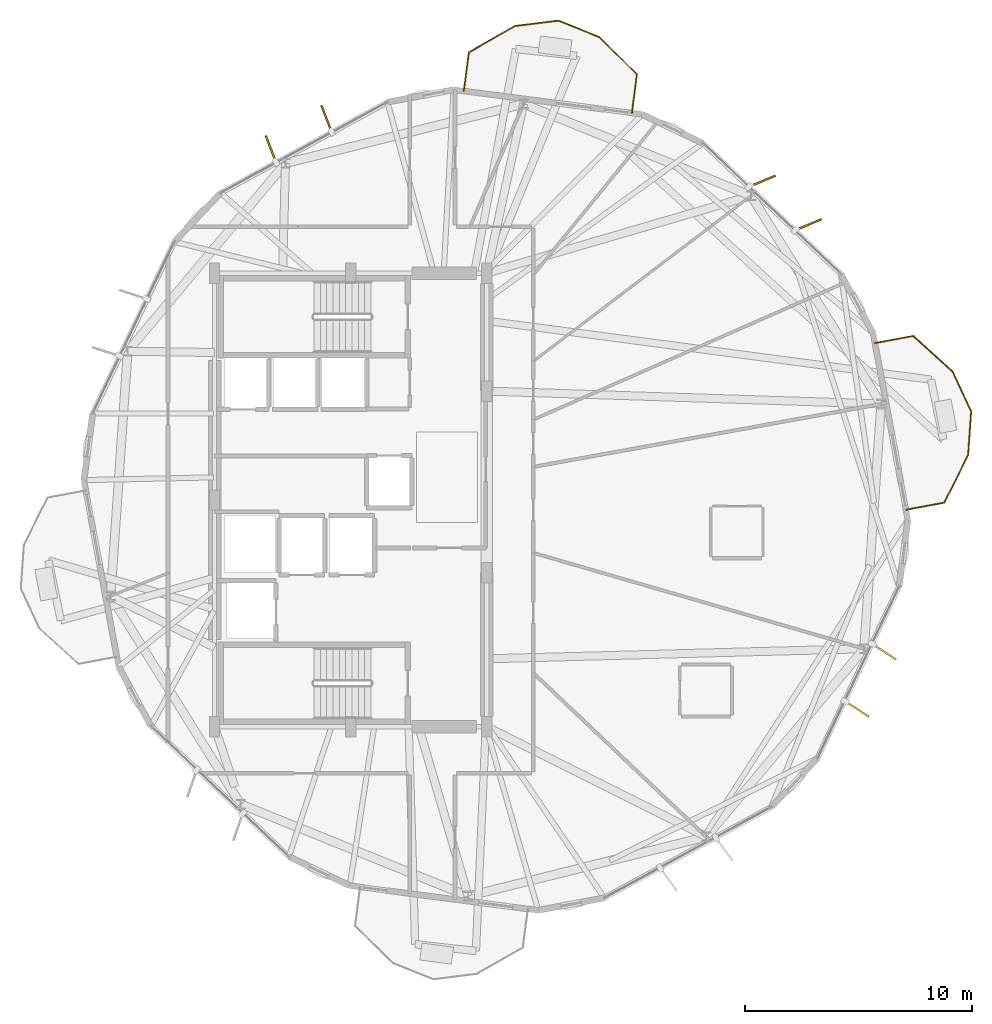
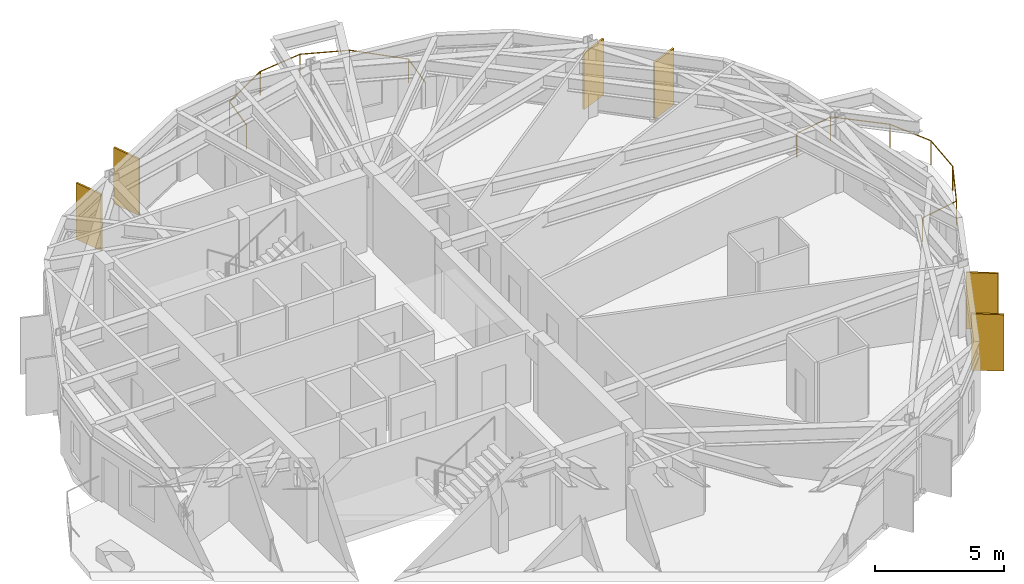
# One storey, part 23 of 23: 6 shading devices, 2 railings.
"""IFC4 building model written with IfcOpenShell, lengths in metres."""

from ifc_helpers import new_model, si_unit, direction, frame, origin, origin_2d, place, context, subcontext, project, spatial, rectangle, circle, extrude, material, layer, layer_set, type_object, element, save


model = new_model("IFC4")

# Units and contexts
model_context = context("Model", 3, precision=1e-05, world=origin(), true_north=direction((0.0, 1.0)))
body_context = subcontext(model_context, "Body", "Model", "MODEL_VIEW")
ifc_project = project(units=[si_unit("LENGTHUNIT", "METRE"), si_unit("AREAUNIT", "SQUARE_METRE"), si_unit("VOLUMEUNIT", "CUBIC_METRE"), si_unit("PLANEANGLEUNIT", "RADIAN"), si_unit("MASSUNIT", "GRAM", prefix="KILO")], contexts=[model_context])

# Site, building, storey
site_placement = place(None, origin())
site = spatial("IfcSite", under=ifc_project, at=site_placement, CompositionType="ELEMENT")
building_placement = place(site_placement, origin())
building = spatial("IfcBuilding", under=site, at=building_placement, Name="Soratama Intermodal Tower", CompositionType="ELEMENT")
storey_placement = place(building_placement, frame((0.0, 0.0, 139.0)))
storey = spatial("IfcBuildingStorey", under=building, at=storey_placement, Name="L33", CompositionType="ELEMENT", Elevation=139.0)

# Railings
ifc_material_1 = material(Name="Laminated glass and stainless steel balustrade", Category="steel")
railing_type = type_object("IfcRailingType", Name="RL-BAL-1150", PredefinedType="BALUSTRADE", material=ifc_material_1)
railing_1_placement = place(storey_placement, frame((61.705078125, 31.916748046875, 0.0)))
element("IfcRailing", 1, at=railing_1_placement, inside=storey, type_object=railing_type, Name="L33 Balcony Balustrade 1", PredefinedType="BALUSTRADE", context=body_context, shape_type="SweptSolid", body=[
    extrude(circle(Radius=0.02392578125, at=origin_2d()), frame((0.0, 0.0, 1.1259765625), z_axis=(0.983062899973, 0.183268477093, 0.0), x_axis=(-0.183268477093, 0.983062899973, 0.0)), (0.0, 0.0, 1.0), 1.7197265625),
    extrude(circle(Radius=0.02392578125, at=origin_2d()), frame((1.690673828125, 0.315185546875, 1.1259765625), z_axis=(0.739544150177, -0.673108052202, 0.0), x_axis=(0.673108052202, 0.739544150177, 0.0)), (0.0, 0.0, 1.0), 2.344482421875),
    extrude(circle(Radius=0.02392578125, at=origin_2d()), frame((3.424560546875, -1.262939453125, 1.1259765625), z_axis=(0.42420710055, -0.905565202425, 0.0), x_axis=(0.905565202425, 0.42420710055, 0.0)), (0.0, 0.0, 1.0), 1.930908203125),
    extrude(circle(Radius=0.02392578125, at=origin_2d()), frame((4.24365234375, -3.011474609375, 1.1259765625), z_axis=(-0.069413914062, -0.997587945263, 0.0), x_axis=(0.997587945263, -0.069413914062, 0.0)), (0.0, 0.0, 1.0), 1.930908203125),
    extrude(circle(Radius=0.02392578125, at=origin_2d()), frame((4.109619140625, -4.937744140625, 1.1259765625), z_axis=(-0.447296908467, -0.894385529666, 0.0), x_axis=(0.894385529666, -0.447296908467, 0.0)), (0.0, 0.0, 1.0), 2.34423828125),
    extrude(circle(Radius=0.02392578125, at=origin_2d()), frame((3.06103515625, -7.034423828125, 1.1259765625), z_axis=(-0.983067666985, -0.183242904718, 0.0), x_axis=(0.183242904718, -0.983067666985, 0.0)), (0.0, 0.0, 1.0), 1.719970703125),
    extrude(circle(Radius=0.02099609375, at=origin_2d()), origin(), (0.0, 0.0, 1.0), 1.101806640625),
    extrude(circle(Radius=0.02099609375, at=origin_2d()), frame((1.690673828125, 0.315185546875, 0.0)), (0.0, 0.0, 1.0), 1.101806640625),
    extrude(circle(Radius=0.02099609375, at=origin_2d()), frame((3.424560546875, -1.262939453125, 0.0)), (0.0, 0.0, 1.0), 1.101806640625),
    extrude(circle(Radius=0.02099609375, at=origin_2d()), frame((4.24365234375, -3.011474609375, 0.0)), (0.0, 0.0, 1.0), 1.101806640625),
    extrude(circle(Radius=0.02099609375, at=origin_2d()), frame((4.109619140625, -4.937744140625, 0.0)), (0.0, 0.0, 1.0), 1.101806640625),
    extrude(circle(Radius=0.02099609375, at=origin_2d()), frame((3.06103515625, -7.034423828125, 0.0)), (0.0, 0.0, 1.0), 1.101806640625),
    extrude(circle(Radius=0.02099609375, at=origin_2d()), frame((1.3701171875, -7.349609375, 0.0)), (0.0, 0.0, 1.0), 1.101806640625),
])
railing_2_placement = place(storey_placement, frame((43.583984375, 43.024658203125, 0.0)))
element("IfcRailing", 2, at=railing_2_placement, inside=storey, type_object=railing_type, Name="L33 Balcony Balustrade 2", PredefinedType="BALUSTRADE", context=body_context, shape_type="SweptSolid", body=[
    extrude(circle(Radius=0.02392578125, at=origin_2d()), frame((0.0, 0.0, 1.1259765625), z_axis=(0.129448407752, 0.991586158501, 0.0), x_axis=(-0.991586158501, 0.129448407752, 0.0)), (0.0, 0.0, 1.0), 1.719970703125),
    extrude(circle(Radius=0.02392578125, at=origin_2d()), frame((0.22265625, 1.70556640625, 1.1259765625), z_axis=(0.86868496586, 0.495364946367, 0.0), x_axis=(-0.495364946367, 0.86868496586, 0.0)), (0.0, 0.0, 1.0), 2.344482421875),
    extrude(circle(Radius=0.02392578125, at=origin_2d()), frame((2.25927734375, 2.866943359375, 1.1259765625), z_axis=(0.992340001571, 0.123536720379, 0.0), x_axis=(-0.123536720379, 0.992340001571, 0.0)), (0.0, 0.0, 1.0), 1.930908203125),
    extrude(circle(Radius=0.02392578125, at=origin_2d()), frame((4.17529296875, 3.10546875, 1.1259765625), z_axis=(0.927321178862, -0.374266524329, 0.0), x_axis=(0.374266524329, 0.927321178862, 0.0)), (0.0, 0.0, 1.0), 1.930908203125),
    extrude(circle(Radius=0.02392578125, at=origin_2d()), frame((5.9658203125, 2.3828125, 1.1259765625), z_axis=(0.712397797538, -0.701775874523, 0.0), x_axis=(0.701775874523, 0.712397797538, 0.0)), (0.0, 0.0, 1.0), 2.344482421875),
    extrude(circle(Radius=0.02392578125, at=origin_2d()), frame((7.635986328125, 0.737548828125, 1.1259765625), z_axis=(-0.129448407752, -0.991586158501, 0.0), x_axis=(0.991586158501, -0.129448407752, 0.0)), (0.0, 0.0, 1.0), 1.719970703125),
    extrude(circle(Radius=0.02099609375, at=origin_2d()), origin(), (0.0, 0.0, 1.0), 1.101806640625),
    extrude(circle(Radius=0.02099609375, at=origin_2d()), frame((0.22265625, 1.70556640625, 0.0)), (0.0, 0.0, 1.0), 1.101806640625),
    extrude(circle(Radius=0.02099609375, at=origin_2d()), frame((2.25927734375, 2.866943359375, 0.0)), (0.0, 0.0, 1.0), 1.101806640625),
    extrude(circle(Radius=0.02099609375, at=origin_2d()), frame((4.17529296875, 3.10546875, 0.0)), (0.0, 0.0, 1.0), 1.101806640625),
    extrude(circle(Radius=0.02099609375, at=origin_2d()), frame((5.9658203125, 2.3828125, 0.0)), (0.0, 0.0, 1.0), 1.101806640625),
    extrude(circle(Radius=0.02099609375, at=origin_2d()), frame((7.635986328125, 0.737548828125, 0.0)), (0.0, 0.0, 1.0), 1.101806640625),
    extrude(circle(Radius=0.02099609375, at=origin_2d()), frame((7.413330078125, -0.968017578125, 0.0)), (0.0, 0.0, 1.0), 1.101806640625),
])

# Shading devices
ifc_material_2 = material(Name="Champagne anodised aluminium solar fin", Category="aluminium")
ifc_layer = layer(ifc_material_2, 0.080078125)
ifc_layer_set = layer_set([ifc_layer], Name="Champagne anodised aluminium solar fin")
shading_device_type = type_object("IfcShadingDeviceType", Name="SH-FIN-1250", PredefinedType="USERDEFINED", material=ifc_layer_set)
for number, where, z_axis, x_axis, name in (
    (3, (58.772705078125, 37.1318359375, 0.02001953125), (0.0, 0.0, 1.0), (0.923478280858, 0.383650706743, 0.0), "L33 Solar Fin F01-1"),
    (4, (56.745361328125, 39.0517578125, 0.02001953125), (0.0, 0.0, 1.0), (0.923478280858, 0.383650706743, 0.0), "L33 Solar Fin F01-2"),
    (5, (37.53662109375, 41.80615234375, 0.02001953125), (0.0, 0.0, 1.0), (-0.360648044776, 0.932701982307, 0.0), "L33 Solar Fin F03-1"),
    (6, (35.084228515625, 40.47119140625, 0.02001953125), (0.0, 0.0, 1.0), (-0.360648044776, 0.932701982307, 0.0), "L33 Solar Fin F03-2"),
    (7, (60.91650390625, 15.79052734375, 0.02001953125), (0.0, 0.0, 1.0), (0.839998867196, -0.542588152386, 0.0), "L33 Solar Fin F09-1"),
    (8, (62.11572265625, 18.311767578125, 0.02001953125), (0.0, 0.0, 1.0), (0.839998867196, -0.542588152386, 0.0), "L33 Solar Fin F09-2"),
):
    element("IfcShadingDevice", number, at=place(storey_placement, frame(where, z_axis=z_axis, x_axis=x_axis)), inside=storey, type_object=shading_device_type, Name=name, ObjectType="FIN", PredefinedType="USERDEFINED", context=body_context, shape_type="SweptSolid", body=[
        extrude(rectangle(XDim=1.25, YDim=0.080078125, at=origin_2d()), origin(), (0.0, 0.0, 1.0), 2.658935546875),
    ])

save(model, "model.ifc")
